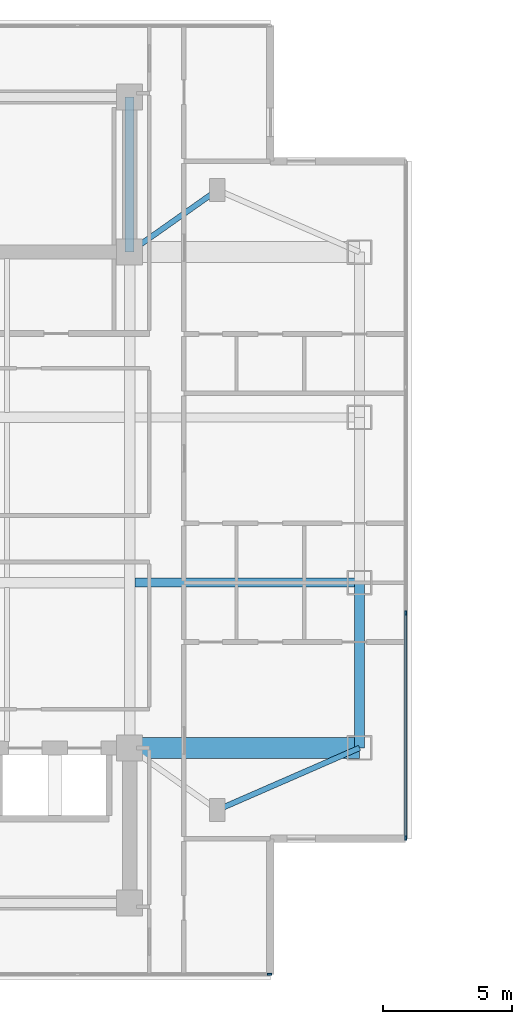
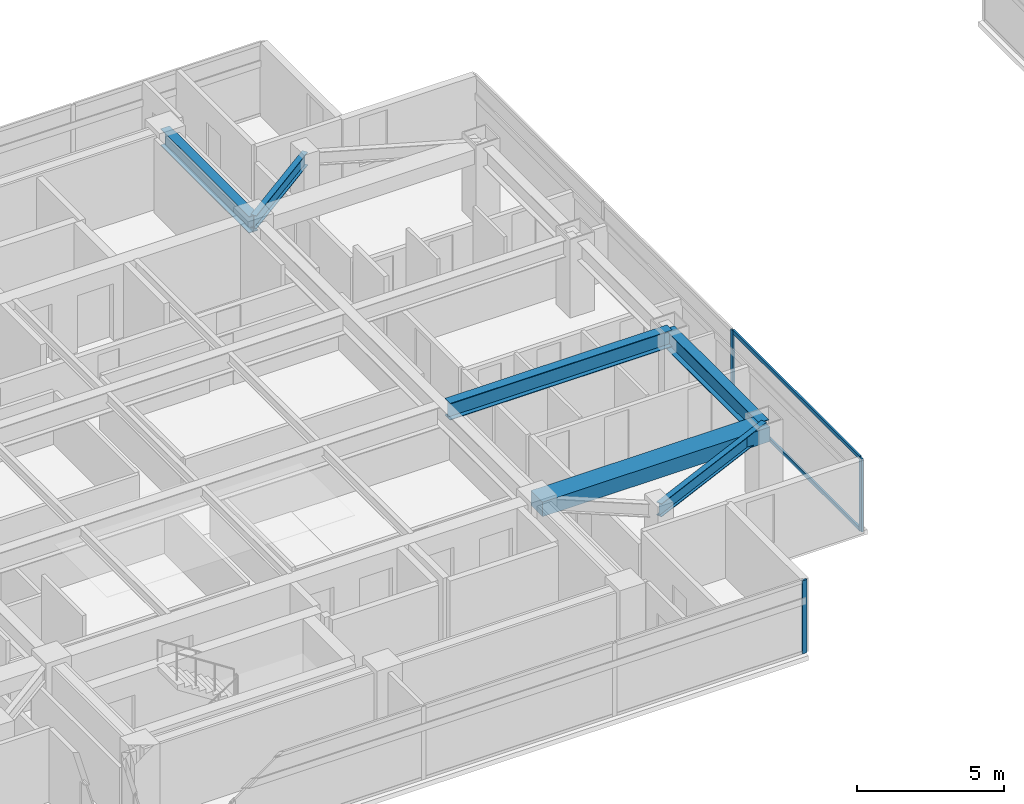
# One storey, part 4 of 24: 6 beams, 5 members, 2 elements without a shape of their own.
"""IFC4 building model written with IfcOpenShell, lengths in metres."""

from ifc_helpers import new_model, si_unit, direction, frame, origin, origin_2d, place, context, subcontext, project, spatial, rectangle, i_section, extrude, material, material_profile, profile_set, type_object, element, aggregate, save


model = new_model("IFC4")

# Units and contexts
model_context = context("Model", 3, precision=1e-05, world=origin(), true_north=direction((0.0, 1.0)))
body_context = subcontext(model_context, "Body", "Model", "MODEL_VIEW")
ifc_project = project(units=[si_unit("LENGTHUNIT", "METRE"), si_unit("AREAUNIT", "SQUARE_METRE"), si_unit("VOLUMEUNIT", "CUBIC_METRE"), si_unit("PLANEANGLEUNIT", "RADIAN"), si_unit("MASSUNIT", "GRAM", prefix="KILO")], contexts=[model_context])

# Site, building, storey
site_placement = place(None, origin())
site = spatial("IfcSite", under=ifc_project, at=site_placement, CompositionType="ELEMENT")
building_placement = place(site_placement, origin())
building = spatial("IfcBuilding", under=site, at=building_placement, Name="Mirazonda Arch Towers", CompositionType="ELEMENT")
storey_placement = place(building_placement, frame((0.0, 0.0, 160.89990234375)))
storey = spatial("IfcBuildingStorey", under=building, at=storey_placement, Name="L45", CompositionType="ELEMENT", Elevation=160.89990234375)

# Beams
ifc_material_1 = material(Name="Steel ASTM A992 Grade 50", Category="steel")
ifc_material_profile_1 = material_profile(ifc_material_1, i_section(OverallWidth=0.381103515625, OverallDepth=0.77294921875, WebThickness=0.0166015625, FlangeThickness=0.027099609375, at=origin_2d()), Name="W30X173")
ifc_profile_set_1 = profile_set([ifc_material_profile_1], Name="Steel ASTM A992 Grade 50")
beam_type_1 = type_object("IfcBeamType", Name="BM-EXT-W30X173", PredefinedType="USERDEFINED", material=ifc_profile_set_1)
beam_1_placement = place(storey_placement, frame((38.89990234375, 18.39990234375, 2.66357421875), z_axis=(0.0, 1.0, 0.0), x_axis=(-1.0, 0.0, 0.0)))
element("IfcBeam", 1, at=beam_1_placement, inside=storey, type_object=beam_type_1, Name="L45 Floor Beam BM-T1-L45-NS-E-18", ObjectType="GIRDER", PredefinedType="USERDEFINED", context=body_context, shape_type="SweptSolid", body=[
    extrude(i_section(OverallWidth=0.381103515625, OverallDepth=0.77294921875, WebThickness=0.0166015625, FlangeThickness=0.027099609375, at=origin_2d()), origin(), (0.0, 0.0, 1.0), 6.400146484375),
])
ifc_material_profile_2 = material_profile(ifc_material_1, i_section(OverallWidth=0.214111328125, OverallDepth=0.549072265625, WebThickness=0.0146484375, FlangeThickness=0.023681640625, at=origin_2d()), Name="W21X93")
ifc_profile_set_2 = profile_set([ifc_material_profile_2], Name="Steel ASTM A992 Grade 50")
beam_type_2 = type_object("IfcBeamType", Name="BM-INT-W21X93", PredefinedType="BEAM", material=ifc_profile_set_2)
beam_2_placement = place(storey_placement, frame((33.39990234375, 16.0, 2.775634765625), z_axis=(0.916545343703, 0.399930785183, 0.0), x_axis=(-0.399930785183, 0.916545343703, 0.0)))
element("IfcBeam", 2, at=beam_2_placement, inside=storey, type_object=beam_type_2, Name="L45 Floor Beam BM-T1-L45-PL-SE2", PredefinedType="BEAM", context=body_context, shape_type="SweptSolid", body=[
    extrude(i_section(OverallWidth=0.214111328125, OverallDepth=0.549072265625, WebThickness=0.0146484375, FlangeThickness=0.023681640625, at=origin_2d()), origin(), (0.0, 0.0, 1.0), 6.000732421875),
])
beam_3_placement = place(storey_placement, frame((33.39990234375, 40.0, 2.775634765625), z_axis=(-0.816971114901, -0.576678591087, 0.0), x_axis=(0.576678591087, -0.816971114901, 0.0)))
element("IfcBeam", 3, at=beam_3_placement, inside=storey, type_object=beam_type_2, Name="L45 Floor Beam BM-T1-L45-PL-NE1", PredefinedType="BEAM", context=body_context, shape_type="SweptSolid", body=[
    extrude(i_section(OverallWidth=0.214111328125, OverallDepth=0.549072265625, WebThickness=0.0146484375, FlangeThickness=0.023681640625, at=origin_2d()), origin(), (0.0, 0.0, 1.0), 4.16162109375),
])
ifc_material_profile_3 = material_profile(ifc_material_1, i_section(OverallWidth=0.35498046875, OverallDepth=0.696044921875, WebThickness=0.015380859375, FlangeThickness=0.02490234375, at=origin_2d()), Name="W27X146")
ifc_profile_set_3 = profile_set([ifc_material_profile_3], Name="Steel ASTM A992 Grade 50")
beam_type_3 = type_object("IfcBeamType", Name="BM-INT-W27X146", PredefinedType="BEAM", material=ifc_profile_set_3)
beam_4_placement = place(storey_placement, frame((30.199951171875, 24.800048828125, 2.7021484375), z_axis=(1.0, 0.0, 0.0), x_axis=(0.0, 1.0, 0.0)))
element("IfcBeam", 4, at=beam_4_placement, inside=storey, type_object=beam_type_3, Name="L45 Floor Beam BM-T1-L45-GE2", PredefinedType="BEAM", context=body_context, shape_type="SweptSolid", body=[
    extrude(i_section(OverallWidth=0.35498046875, OverallDepth=0.696044921875, WebThickness=0.015380859375, FlangeThickness=0.02490234375, at=origin_2d()), origin(), (0.0, 0.0, 1.0), 8.699951171875),
])
beam_5_placement = place(storey_placement, frame((30.0, 37.60009765625, 2.7021484375), z_axis=(0.0, 1.0, 0.0), x_axis=(-1.0, 0.0, 0.0)))
element("IfcBeam", 5, at=beam_5_placement, inside=storey, type_object=beam_type_3, Name="L45 Floor Beam BM-T1-L45-CNE", PredefinedType="BEAM", context=body_context, shape_type="SweptSolid", body=[
    extrude(i_section(OverallWidth=0.35498046875, OverallDepth=0.696044921875, WebThickness=0.015380859375, FlangeThickness=0.02490234375, at=origin_2d()), origin(), (0.0, 0.0, 1.0), 6.0),
])
ifc_material_2 = material(Name="Concrete C60/75", Category="concrete")
ifc_material_profile_4 = material_profile(ifc_material_2, rectangle(XDim=0.800048828125, YDim=0.60009765625, at=origin_2d()), Name="RCCB800x600")
ifc_profile_set_4 = profile_set([ifc_material_profile_4], Name="Concrete C60/75")
beam_type_4 = type_object("IfcBeamType", Name="CB-INT-RCCB800x600", PredefinedType="SPANDREL", material=ifc_profile_set_4)
beam_6_placement = place(storey_placement, frame((30.0, 18.39990234375, 2.75), z_axis=(1.0, 0.0, 0.0), x_axis=(0.0, 1.0, 0.0)))
element("IfcBeam", 6, at=beam_6_placement, inside=storey, type_object=beam_type_4, Name="L45 Floor Beam CBC-T1-L45-SE", PredefinedType="SPANDREL", context=body_context, shape_type="SweptSolid", body=[
    extrude(rectangle(XDim=0.800048828125, YDim=0.60009765625, at=origin_2d()), origin(), (0.0, 0.0, 1.0), 8.89990234375),
])

# Curtain wall, member
ifc_material_3 = material(Name="Anodised Aluminium and Low-E Glass", Category="aluminium")
curtain_wall_type = type_object("IfcCurtainWallType", Name="CW-RES-UNIT", PredefinedType="NOTDEFINED", material=ifc_material_3)
curtain_wall_1_placement = place(storey_placement, origin())
curtain_wall_1 = element("IfcCurtainWall", 7, at=curtain_wall_1_placement, inside=storey, type_object=curtain_wall_type, Name="L45 T1 S Facade CW-L45-T1-S", PredefinedType="NOTDEFINED")
ifc_material_4 = material(Name="Anodised Aluminium Alloy", Category="aluminium")
ifc_material_profile_5 = material_profile(ifc_material_4, rectangle(XDim=0.074951171875, YDim=0.175048828125, at=origin_2d()), Name="ALU-MULL-75x175")
ifc_profile_set_5 = profile_set([ifc_material_profile_5], Name="Anodised Aluminium Alloy")
member_type_1 = type_object("IfcMemberType", Name="MULL-CW-RES-UNIT", PredefinedType="MULLION", material=ifc_profile_set_5)
member_1_placement = place(storey_placement, frame((35.407470703125, 9.634033203125, 0.0), z_axis=(0.0, 0.0, 1.0), x_axis=(0.0, -1.0, 0.0)))
member_1 = element("IfcMember", 8, at=member_1_placement, type_object=member_type_1, Name="CW-104 mullion 1", PredefinedType="MULLION", context=body_context, shape_type="SweptSolid", body=[
    extrude(rectangle(XDim=0.074951171875, YDim=0.175048828125, at=origin_2d()), origin(), (0.0, 0.0, 1.0), 3.030029296875),
])
aggregate(curtain_wall_1, [member_1])

# Curtain wall, members
curtain_wall_2_placement = place(storey_placement, origin())
curtain_wall_2 = element("IfcCurtainWall", 9, at=curtain_wall_2_placement, inside=storey, type_object=curtain_wall_type, Name="L45 T1 E Facade CW-L45-T1-E", PredefinedType="NOTDEFINED")
member_2_placement = place(storey_placement, frame((40.68994140625, 14.91650390625, 0.0), z_axis=(0.0, 0.0, 1.0), x_axis=(-1.0, 0.0, 0.0)))
member_2 = element("IfcMember", 10, at=member_2_placement, type_object=member_type_1, Name="CW-104 mullion 1", PredefinedType="MULLION", context=body_context, shape_type="SweptSolid", body=[
    extrude(rectangle(XDim=0.074951171875, YDim=0.175048828125, at=origin_2d()), origin(), (0.0, 0.0, 1.0), 3.030029296875),
])
member_3_placement = place(storey_placement, frame((40.68994140625, 23.626220703125, 0.0), z_axis=(0.0, 0.0, 1.0), x_axis=(-1.0, 0.0, 0.0)))
member_3 = element("IfcMember", 11, at=member_3_placement, type_object=member_type_1, Name="CW-104 mullion 2", PredefinedType="MULLION", context=body_context, shape_type="SweptSolid", body=[
    extrude(rectangle(XDim=0.074951171875, YDim=0.175048828125, at=origin_2d()), origin(), (0.0, 0.0, 1.0), 3.030029296875),
])
ifc_material_profile_6 = material_profile(ifc_material_4, rectangle(XDim=0.074951171875, YDim=0.155029296875, at=origin_2d()), Name="ALU-TRAN-75x155")
ifc_profile_set_6 = profile_set([ifc_material_profile_6], Name="Anodised Aluminium Alloy")
member_type_2 = type_object("IfcMemberType", Name="TRAN-CW-RES-UNIT", PredefinedType="USERDEFINED", material=ifc_profile_set_6)
member_4_placement = place(storey_placement, frame((40.68994140625, 14.9541015625, 0.03759765625), z_axis=(0.0, 1.0, 0.0), x_axis=(-1.0, 0.0, 0.0)))
member_4 = element("IfcMember", 12, at=member_4_placement, type_object=member_type_2, Name="CW-104 transom 1.1", ObjectType="TRANSOM", PredefinedType="USERDEFINED", context=body_context, shape_type="SweptSolid", body=[
    extrude(rectangle(XDim=0.074951171875, YDim=0.155029296875, at=origin_2d()), origin(), (0.0, 0.0, 1.0), 8.634765625),
])
member_5_placement = place(storey_placement, frame((40.68994140625, 14.9541015625, 2.99267578125), z_axis=(0.0, 1.0, 0.0), x_axis=(-1.0, 0.0, 0.0)))
member_5 = element("IfcMember", 13, at=member_5_placement, type_object=member_type_2, Name="CW-104 transom 1.2", ObjectType="TRANSOM", PredefinedType="USERDEFINED", context=body_context, shape_type="SweptSolid", body=[
    extrude(rectangle(XDim=0.074951171875, YDim=0.155029296875, at=origin_2d()), origin(), (0.0, 0.0, 1.0), 8.634765625),
])
aggregate(curtain_wall_2, [member_2, member_3, member_4, member_5])

save(model, "model.ifc")
